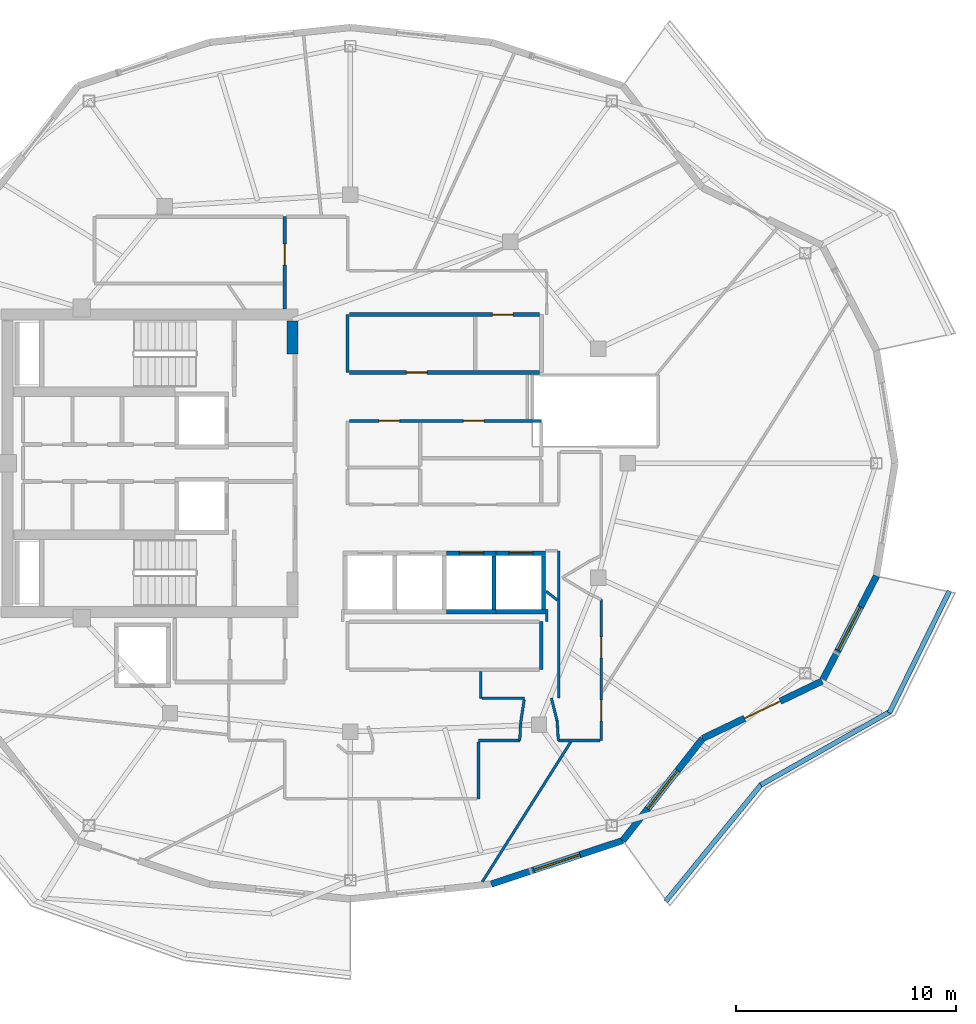
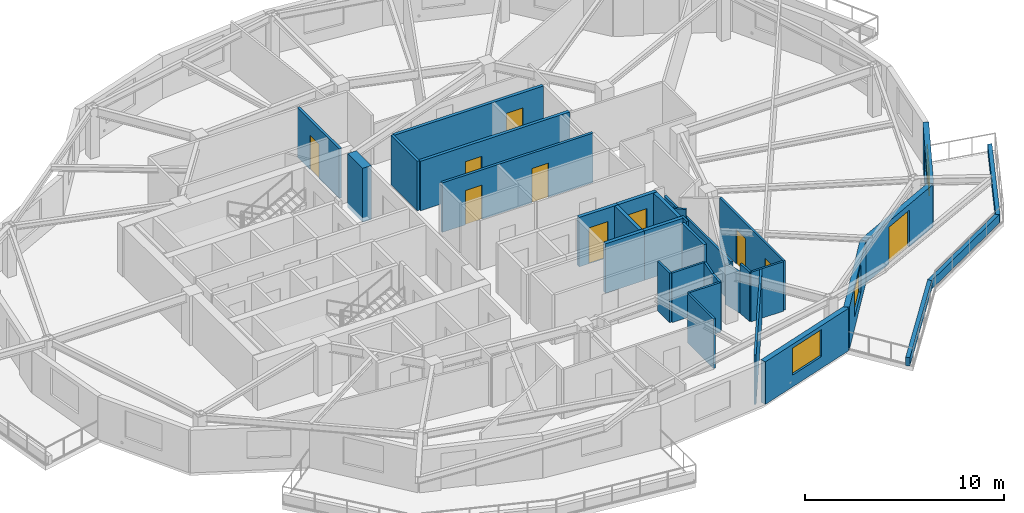
# One storey, part 5 of 10: 34 walls, 10 doors, 3 windows, 13 openings.
"""IFC4 building model written with IfcOpenShell, lengths in metres."""

from ifc_helpers import new_model, si_unit, direction, frame, frame_2d, origin, place, context, subcontext, project, spatial, rectangle, extrude, material, layer, layer_set, type_object, element, fill, save


model = new_model("IFC4")

# Units and contexts
model_context = context("Model", 3, precision=1e-05, world=origin(), true_north=direction((0.0, 1.0)))
body_context = subcontext(model_context, "Body", "Model", "MODEL_VIEW")
ifc_project = project(units=[si_unit("LENGTHUNIT", "METRE"), si_unit("AREAUNIT", "SQUARE_METRE"), si_unit("VOLUMEUNIT", "CUBIC_METRE"), si_unit("PLANEANGLEUNIT", "RADIAN"), si_unit("MASSUNIT", "GRAM", prefix="KILO")], contexts=[model_context])

# Site, building, storey
site_placement = place(None, origin())
site = spatial("IfcSite", under=ifc_project, at=site_placement, CompositionType="ELEMENT")
building_placement = place(site_placement, origin())
building = spatial("IfcBuilding", under=site, at=building_placement, Name="Kolvaren Gate Tower and Convention Centre", CompositionType="ELEMENT")
storey_placement = place(building_placement, frame((0.0, 0.0, 203.0)))
storey = spatial("IfcBuildingStorey", under=building, at=storey_placement, Name="L53", CompositionType="ELEMENT", Elevation=203.0)

# Wall, opening, door
ifc_material_1 = material(Name="Autoclaved Aerated Masonry Blockwork Class 4 (4.0 MPa)", Category="masonry")
ifc_layer_1 = layer(ifc_material_1, 0.179931640625)
ifc_layer_set_1 = layer_set([ifc_layer_1], Name="Autoclaved Aerated Masonry Blockwork Class 4 (4.0 MPa)")
wall_type_1 = type_object("IfcWallType", Name="ARCH-WL-COMP-180", PredefinedType="SOLIDWALL", material=ifc_layer_set_1)
wall_1_placement = place(storey_placement, frame((30.076904296875, 31.1201171875, 0.0), z_axis=(0.0, 0.0, 1.0), x_axis=(1.0, 0.0, 0.0)))
wall_1 = element("IfcWall", 1, at=wall_1_placement, inside=storey, type_object=wall_type_1, Name="Interior Partition WL-L53-INT-029", PredefinedType="SOLIDWALL", context=body_context, shape_type="SweptSolid", body=[
    extrude(rectangle(XDim=8.631103515625, YDim=0.179931640625, at=frame_2d((4.3154296875, 0.0))), origin(), (0.0, 0.0, 1.0), 3.030029296875),
])
opening_1_placement = place(wall_1_placement, frame((2.591552734375, 0.0, 0.0)))
opening_1 = element("IfcOpeningElement", 2, at=opening_1_placement, cuts=wall_1, Name="Opening DR-01", PredefinedType="OPENING", context=body_context, shape_type="SweptSolid", body=[
    extrude(rectangle(XDim=0.949951171875, YDim=2.10009765625, at=frame_2d((0.47509765625, 1.050048828125))), frame((0.0, 0.099853515625, 0.0), z_axis=(0.0, -1.0, 0.0), x_axis=(1.0, 0.0, 0.0)), (0.0, 0.0, 1.0), 0.199951171875),
])
ifc_material_2 = material(Name="Painted Architectural Steelwork ASTM A500 Grade C 345 MPa", Category="steel")
door_type_1 = type_object("IfcDoorType", Name="ARCH-DR-RISER-950", OperationType="SINGLE_SWING_RIGHT", PredefinedType="DOOR", material=ifc_material_2)
door_1_placement = place(opening_1_placement, origin())
door_1 = element("IfcDoor", 3, at=door_1_placement, inside=storey, type_object=door_type_1, Name="Steward Supply Store Door", OperationType="SINGLE_SWING_RIGHT", OverallHeight=2.10009765625, OverallWidth=0.949951171875, PredefinedType="DOOR", context=body_context, shape_type="SweptSolid", body=[
    extrude(rectangle(XDim=0.949951171875, YDim=2.10009765625, at=frame_2d((0.47509765625, 1.050048828125))), frame((0.0, 0.02490234375, 0.0), z_axis=(0.0, -1.0, 0.0), x_axis=(1.0, 0.0, 0.0)), (0.0, 0.0, 1.0), 0.050048828125),
])
fill(opening_1, door_1)

wall_2_placement = place(storey_placement, frame((30.076904296875, 33.75, 0.0), z_axis=(0.0, 0.0, 1.0), x_axis=(1.0, 0.0, 0.0)))
wall_2 = element("IfcWall", 4, at=wall_2_placement, inside=storey, type_object=wall_type_1, Name="Interior Partition WL-L53-INT-030", PredefinedType="SOLIDWALL", context=body_context, shape_type="SweptSolid", body=[
    extrude(rectangle(XDim=8.631103515625, YDim=0.179931640625, at=frame_2d((4.3154296875, 0.0))), origin(), (0.0, 0.0, 1.0), 3.030029296875),
])
opening_2_placement = place(wall_2_placement, frame((6.4970703125, 0.0, 0.0)))
opening_2 = element("IfcOpeningElement", 5, at=opening_2_placement, cuts=wall_2, Name="Opening DR-01", PredefinedType="OPENING", context=body_context, shape_type="SweptSolid", body=[
    extrude(rectangle(XDim=0.949951171875, YDim=2.10009765625, at=frame_2d((0.47509765625, 1.050048828125))), frame((0.0, 0.099853515625, 0.0), z_axis=(0.0, -1.0, 0.0), x_axis=(1.0, 0.0, 0.0)), (0.0, 0.0, 1.0), 0.199951171875),
])
door_2_placement = place(opening_2_placement, origin())
door_2 = element("IfcDoor", 6, at=door_2_placement, inside=storey, type_object=door_type_1, Name="Floor Telecom Switch Room Door", OperationType="SINGLE_SWING_LEFT", OverallHeight=2.10009765625, OverallWidth=0.949951171875, PredefinedType="DOOR", context=body_context, shape_type="SweptSolid", body=[
    extrude(rectangle(XDim=0.949951171875, YDim=2.10009765625, at=frame_2d((0.47509765625, 1.050048828125))), frame((0.0, 0.02490234375, 0.0), z_axis=(0.0, -1.0, 0.0), x_axis=(1.0, 0.0, 0.0)), (0.0, 0.0, 1.0), 0.050048828125),
])
fill(opening_2, door_2)

# Walls
ifc_material_3 = material(Name="Fire-Rated Acoustic Gypsum Stud Partition", Category="gypsum")
ifc_layer_2 = layer(ifc_material_3, 0.1201171875)
ifc_layer_set_2 = layer_set([ifc_layer_2], Name="Fire-Rated Acoustic Gypsum Stud Partition")
wall_type_2 = type_object("IfcWallType", Name="ARCH-WL-PART-120", PredefinedType="PARTITIONING", material=ifc_layer_set_2)
wall_3_placement = place(storey_placement, frame((39.050048828125, 19.800048828125, 0.0), z_axis=(0.0, 0.0, 1.0), x_axis=(0.0, 1.0, 0.0)))
element("IfcWall", 7, at=wall_3_placement, inside=storey, type_object=wall_type_2, Name="Interior Partition WL-L53-INT-038", PredefinedType="PARTITIONING", context=body_context, shape_type="SweptSolid", body=[
    extrude(rectangle(XDim=0.56005859375, YDim=0.1201171875, at=frame_2d((0.280029296875, 0.0))), origin(), (0.0, 0.0, 1.0), 3.030029296875),
])
wall_4_placement = place(storey_placement, frame((39.60009765625, 16.320068359375, 0.0), z_axis=(0.0, 0.0, 1.0), x_axis=(0.0, 1.0, 0.0)))
element("IfcWall", 8, at=wall_4_placement, inside=storey, type_object=wall_type_2, Name="Interior Partition WL-L53-INT-041", PredefinedType="PARTITIONING", context=body_context, shape_type="SweptSolid", body=[
    extrude(rectangle(XDim=6.699951171875, YDim=0.1201171875, at=frame_2d((3.35009765625, 0.0))), origin(), (0.0, 0.0, 1.0), 2.47802734375),
])

# Wall, openings, doors
wall_5_placement = place(storey_placement, frame((41.52001953125, 14.39990234375, 0.0), z_axis=(0.0, 0.0, 1.0), x_axis=(0.0, 1.0, 0.0)))
wall_5 = element("IfcWall", 9, at=wall_5_placement, inside=storey, type_object=wall_type_2, Name="Interior Partition WL-L53-INT-044", PredefinedType="PARTITIONING", context=body_context, shape_type="SweptSolid", body=[
    extrude(rectangle(XDim=6.406982421875, YDim=0.1201171875, at=frame_2d((3.20361328125, 0.0))), origin(), (0.0, 0.0, 1.0), 3.030029296875),
])
opening_3_placement = place(wall_5_placement, frame((0.89404296875, 0.0, 0.0)))
opening_3 = element("IfcOpeningElement", 10, at=opening_3_placement, cuts=wall_5, Name="Opening DR-01", PredefinedType="OPENING", context=body_context, shape_type="SweptSolid", body=[
    extrude(rectangle(XDim=0.949951171875, YDim=2.10009765625, at=frame_2d((0.47509765625, 1.050048828125))), frame((0.0, 0.070068359375, 0.0), z_axis=(0.0, -1.0, 0.0), x_axis=(1.0, 0.0, 0.0)), (0.0, 0.0, 1.0), 0.14013671875),
])
opening_4_placement = place(wall_5_placement, frame((3.758544921875, 0.0, 0.0)))
opening_4 = element("IfcOpeningElement", 11, at=opening_4_placement, cuts=wall_5, Name="Opening DR-01", PredefinedType="OPENING", context=body_context, shape_type="SweptSolid", body=[
    extrude(rectangle(XDim=0.949951171875, YDim=2.10009765625, at=frame_2d((0.47509765625, 1.050048828125))), frame((0.0, 0.070068359375, 0.0), z_axis=(0.0, -1.0, 0.0), x_axis=(1.0, 0.0, 0.0)), (0.0, 0.0, 1.0), 0.14013671875),
])
door_3_placement = place(opening_3_placement, origin())
door_3 = element("IfcDoor", 12, at=door_3_placement, inside=storey, type_object=door_type_1, Name="Resident Private Study and Home Office Door", OperationType="SINGLE_SWING_LEFT", OverallHeight=2.10009765625, OverallWidth=0.949951171875, PredefinedType="DOOR", context=body_context, shape_type="SweptSolid", body=[
    extrude(rectangle(XDim=0.949951171875, YDim=2.10009765625, at=frame_2d((0.47509765625, 1.050048828125))), frame((0.0, 0.02490234375, 0.0), z_axis=(0.0, -1.0, 0.0), x_axis=(1.0, 0.0, 0.0)), (0.0, 0.0, 1.0), 0.050048828125),
])
fill(opening_3, door_3)
door_4_placement = place(opening_4_placement, origin())
door_4 = element("IfcDoor", 13, at=door_4_placement, inside=storey, type_object=door_type_1, Name="Resident Private Study Door", OperationType="SINGLE_SWING_RIGHT", OverallHeight=2.10009765625, OverallWidth=0.949951171875, PredefinedType="DOOR", context=body_context, shape_type="SweptSolid", body=[
    extrude(rectangle(XDim=0.949951171875, YDim=2.10009765625, at=frame_2d((0.47509765625, 1.050048828125))), frame((0.0, 0.02490234375, 0.0), z_axis=(0.0, -1.0, 0.0), x_axis=(1.0, 0.0, 0.0)), (0.0, 0.0, 1.0), 0.050048828125),
])
fill(opening_4, door_4)

# Walls
wall_6_placement = place(storey_placement, frame((35.949951171875, 14.39990234375, 0.0), z_axis=(0.0, 0.0, 1.0), x_axis=(1.0, 0.0, 0.0)))
element("IfcWall", 14, at=wall_6_placement, inside=storey, type_object=wall_type_2, Name="Interior Partition WL-L53-INT-051", PredefinedType="PARTITIONING", context=body_context, shape_type="SweptSolid", body=[
    extrude(rectangle(XDim=1.873046875, YDim=0.1201171875, at=frame_2d((0.9365234375, 0.0))), origin(), (0.0, 0.0, 1.0), 3.030029296875),
])
wall_7_placement = place(storey_placement, frame((39.573974609375, 14.39990234375, 0.0), z_axis=(0.0, 0.0, 1.0), x_axis=(1.0, 0.0, 0.0)))
element("IfcWall", 15, at=wall_7_placement, inside=storey, type_object=wall_type_2, Name="Interior Partition WL-L53-INT-052", PredefinedType="PARTITIONING", context=body_context, shape_type="SweptSolid", body=[
    extrude(rectangle(XDim=1.884033203125, YDim=0.1201171875, at=frame_2d((0.94189453125, 0.0))), origin(), (0.0, 0.0, 1.0), 3.030029296875),
])
wall_8_placement = place(storey_placement, frame((39.52197265625, 15.283935546875, 0.0), z_axis=(0.0, 0.0, 1.0), x_axis=(0.058722021951, -0.998274373175, 0.0)))
element("IfcWall", 16, at=wall_8_placement, inside=storey, type_object=wall_type_2, Name="Interior Partition WL-L53-INT-053", PredefinedType="PARTITIONING", context=body_context, shape_type="SweptSolid", body=[
    extrude(rectangle(XDim=0.885498046875, YDim=0.1201171875, at=frame_2d((0.44287109375, 0.0))), origin(), (0.0, 0.0, 1.0), 3.030029296875),
])
wall_9_placement = place(storey_placement, frame((39.262939453125, 16.320068359375, 0.0), z_axis=(0.0, 0.0, 1.0), x_axis=(0.242535625036, -0.970142500145, 0.0)))
element("IfcWall", 17, at=wall_9_placement, inside=storey, type_object=wall_type_2, Name="Interior Partition WL-L53-INT-054", PredefinedType="PARTITIONING", context=body_context, shape_type="SweptSolid", body=[
    extrude(rectangle(XDim=1.068115234375, YDim=0.1201171875, at=frame_2d((0.5341796875, 0.0))), origin(), (0.0, 0.0, 1.0), 2.47802734375),
])
wall_10_placement = place(storey_placement, frame((36.050048828125, 16.320068359375, 0.0), z_axis=(0.0, 0.0, 1.0), x_axis=(0.0, 1.0, 0.0)))
element("IfcWall", 18, at=wall_10_placement, inside=storey, type_object=wall_type_2, Name="Interior Partition WL-L53-INT-057", PredefinedType="PARTITIONING", context=body_context, shape_type="SweptSolid", body=[
    extrude(rectangle(XDim=1.222900390625, YDim=0.1201171875, at=frame_2d((0.611328125, 0.0))), origin(), (0.0, 0.0, 1.0), 3.030029296875),
])
wall_11_placement = place(storey_placement, frame((36.112060546875, 16.320068359375, 0.0), z_axis=(0.0, 0.0, 1.0), x_axis=(1.0, 0.0, 0.0)))
element("IfcWall", 19, at=wall_11_placement, inside=storey, type_object=wall_type_2, Name="Interior Partition WL-L53-INT-058", PredefinedType="PARTITIONING", context=body_context, shape_type="SweptSolid", body=[
    extrude(rectangle(XDim=1.9208984375, YDim=0.1201171875, at=frame_2d((0.96044921875, 0.0))), origin(), (0.0, 0.0, 1.0), 3.030029296875),
])
wall_12_placement = place(storey_placement, frame((37.862060546875, 15.200927734375, 0.0), z_axis=(0.0, 0.0, 1.0), x_axis=(0.150907653202, 0.988547864398, 0.0)))
element("IfcWall", 20, at=wall_12_placement, inside=storey, type_object=wall_type_2, Name="Interior Partition WL-L53-INT-059", PredefinedType="PARTITIONING", context=body_context, shape_type="SweptSolid", body=[
    extrude(rectangle(XDim=1.0693359375, YDim=0.1201171875, at=frame_2d((0.53466796875, 0.0))), origin(), (0.0, 0.0, 1.0), 3.030029296875),
])
wall_13_placement = place(storey_placement, frame((37.822998046875, 14.39990234375, 0.0), z_axis=(0.0, 0.0, 1.0), x_axis=(0.04870773904, 0.998813073682, 0.0)))
element("IfcWall", 21, at=wall_13_placement, inside=storey, type_object=wall_type_2, Name="Interior Partition WL-L53-INT-060", PredefinedType="PARTITIONING", context=body_context, shape_type="SweptSolid", body=[
    extrude(rectangle(XDim=0.802001953125, YDim=0.1201171875, at=frame_2d((0.40087890625, 0.0))), origin(), (0.0, 0.0, 1.0), 3.030029296875),
])
wall_14_placement = place(storey_placement, frame((35.949951171875, 11.75, 0.0), z_axis=(0.0, 0.0, 1.0), x_axis=(0.0, 1.0, 0.0)))
element("IfcWall", 22, at=wall_14_placement, inside=storey, type_object=wall_type_2, Name="Interior Partition WL-L53-INT-061", PredefinedType="PARTITIONING", context=body_context, shape_type="SweptSolid", body=[
    extrude(rectangle(XDim=2.587890625, YDim=0.1201171875, at=frame_2d((1.2939453125, 0.0))), origin(), (0.0, 0.0, 1.0), 3.030029296875),
])
wall_15_placement = place(storey_placement, frame((39.02001953125, 21.177978515625, 0.0), z_axis=(0.0, 0.0, 1.0), x_axis=(0.788170760396, -0.615456621101, 0.0)))
element("IfcWall", 23, at=wall_15_placement, inside=storey, type_object=wall_type_2, Name="Interior Partition WL-L53-INT-072", PredefinedType="PARTITIONING", context=body_context, shape_type="SweptSolid", body=[
    extrude(rectangle(XDim=0.6572265625, YDim=0.1201171875, at=frame_2d((0.32861328125, 0.0))), origin(), (0.0, 0.0, 1.0), 3.030029296875),
])
wall_16_placement = place(storey_placement, frame((36.1240234375, 7.984619140625, 0.0), z_axis=(0.0, 0.0, 1.0), x_axis=(0.534397421847, 0.845233337915, 0.0)))
element("IfcWall", 24, at=wall_16_placement, inside=storey, type_object=wall_type_2, Name="Interior Partition WL-L53-INT-073", PredefinedType="PARTITIONING", context=body_context, shape_type="SweptSolid", body=[
    extrude(rectangle(XDim=7.5166015625, YDim=0.1201171875, at=frame_2d((3.75830078125, 0.0))), origin(), (0.0, 0.0, 1.0), 3.030029296875),
])
ifc_material_4 = material(Name="Piedmont Cream Honed Limestone Cladding", Category="masonry")
ifc_layer_3 = layer(ifc_material_4, 0.219970703125)
ifc_layer_set_3 = layer_set([ifc_layer_3], Name="Piedmont Cream Honed Limestone Cladding")
wall_type_3 = type_object("IfcWallType", Name="ARCH-WL-PLANTER-220", PredefinedType="PARAPET", material=ifc_layer_set_3)
wall_17_placement = place(storey_placement, frame((44.4482421875, 7.087158203125, 0.0), z_axis=(0.0, 0.0, 1.0), x_axis=(0.632697312147, 0.774399193699, 0.0)))
element("IfcWall", 25, at=wall_17_placement, inside=storey, type_object=wall_type_3, Name="Vertical-Forest Balcony Stone Planter Kerb PK-L53-4.1", PredefinedType="PARAPET", context=body_context, shape_type="SweptSolid", body=[
    extrude(rectangle(XDim=6.9140625, YDim=0.219970703125, at=frame_2d((3.45703125, 0.0))), origin(), (0.0, 0.0, 1.0), 0.52001953125),
])
wall_18_placement = place(storey_placement, frame((48.7763671875, 12.38330078125, 0.0), z_axis=(0.0, 0.0, 1.0), x_axis=(0.869860619267, 0.493297580623, 0.0)))
element("IfcWall", 26, at=wall_18_placement, inside=storey, type_object=wall_type_3, Name="Vertical-Forest Balcony Stone Planter Kerb PK-L53-4.2", PredefinedType="PARAPET", context=body_context, shape_type="SweptSolid", body=[
    extrude(rectangle(XDim=6.74267578125, YDim=0.219970703125, at=frame_2d((3.371337890625, 0.0))), origin(), (0.0, 0.0, 1.0), 0.52001953125),
])
wall_19_placement = place(storey_placement, frame((54.615966796875, 15.6533203125, 0.0), z_axis=(0.0, 0.0, 1.0), x_axis=(0.441640961804, 0.897191875162, 0.0)))
element("IfcWall", 27, at=wall_19_placement, inside=storey, type_object=wall_type_3, Name="Vertical-Forest Balcony Stone Planter Kerb PK-L53-4.3", PredefinedType="PARAPET", context=body_context, shape_type="SweptSolid", body=[
    extrude(rectangle(XDim=6.17822265625, YDim=0.219970703125, at=frame_2d((3.089111328125, 0.0))), origin(), (0.0, 0.0, 1.0), 0.52001953125),
])

# Wall, opening, door
ifc_layer_4 = layer(ifc_material_1, 0.199951171875)
ifc_layer_set_4 = layer_set([ifc_layer_4], Name="Autoclaved Aerated Masonry Blockwork Class 4 (4.0 MPa)")
wall_type_4 = type_object("IfcWallType", Name="ARCH-WL-SHAFT-200", PredefinedType="SOLIDWALL", material=ifc_layer_set_4)
wall_20_placement = place(storey_placement, frame((34.5, 22.89990234375, 0.0), z_axis=(0.0, 0.0, 1.0), x_axis=(1.0, 0.0, 0.0)))
wall_20 = element("IfcWall", 28, at=wall_20_placement, inside=storey, type_object=wall_type_4, Name="Elevator PL-11 L53 Fire Shaft Wall N", PredefinedType="SOLIDWALL", context=body_context, shape_type="SweptSolid", body=[
    extrude(rectangle(XDim=2.25, YDim=0.199951171875, at=frame_2d((1.125, 0.0))), origin(), (0.0, 0.0, 1.0), 3.030029296875),
])
opening_5_placement = place(wall_20_placement, frame((0.574951171875, 0.0, 0.0)))
opening_5 = element("IfcOpeningElement", 29, at=opening_5_placement, cuts=wall_20, Name="Opening LD", PredefinedType="OPENING", context=body_context, shape_type="SweptSolid", body=[
    extrude(rectangle(XDim=1.10009765625, YDim=2.199951171875, at=frame_2d((0.550048828125, 1.10009765625))), frame((0.0, 0.10986328125, 0.0), z_axis=(0.0, -1.0, 0.0), x_axis=(1.0, 0.0, 0.0)), (0.0, 0.0, 1.0), 0.219970703125),
])
ifc_material_5 = material(Name="Brushed Stainless Steel Grade 316L", Category="steel")
door_type_2 = type_object("IfcDoorType", Name="ARCH-DR-LIFT-1100", OperationType="SLIDING_TO_LEFT", PredefinedType="DOOR", material=ifc_material_5)
door_5_placement = place(opening_5_placement, origin())
door_5 = element("IfcDoor", 30, at=door_5_placement, inside=storey, type_object=door_type_2, Name="Elevator PL-11 L53 Sliding Landing Door", OperationType="SLIDING_TO_LEFT", OverallHeight=2.199951171875, OverallWidth=1.10009765625, PredefinedType="DOOR", context=body_context, shape_type="SweptSolid", body=[
    extrude(rectangle(XDim=1.10009765625, YDim=2.199951171875, at=frame_2d((0.550048828125, 1.10009765625))), frame((0.0, 0.02490234375, 0.0), z_axis=(0.0, -1.0, 0.0), x_axis=(1.0, 0.0, 0.0)), (0.0, 0.0, 1.0), 0.050048828125),
])
fill(opening_5, door_5)

# Walls
wall_21_placement = place(storey_placement, frame((34.5, 20.25, 0.0), z_axis=(0.0, 0.0, 1.0), x_axis=(1.0, 0.0, 0.0)))
element("IfcWall", 31, at=wall_21_placement, inside=storey, type_object=wall_type_4, Name="Elevator PL-11 L53 Fire Shaft Wall S", PredefinedType="SOLIDWALL", context=body_context, shape_type="SweptSolid", body=[
    extrude(rectangle(XDim=2.25, YDim=0.199951171875, at=frame_2d((1.125, 0.0))), origin(), (0.0, 0.0, 1.0), 3.030029296875),
])
wall_22_placement = place(storey_placement, frame((36.64990234375, 20.360107421875, 0.0), z_axis=(0.0, 0.0, 1.0), x_axis=(0.0, 1.0, 0.0)))
element("IfcWall", 32, at=wall_22_placement, inside=storey, type_object=wall_type_4, Name="Elevator PL-11 L53 Fire Shaft Wall E", PredefinedType="SOLIDWALL", context=body_context, shape_type="SweptSolid", body=[
    extrude(rectangle(XDim=2.429931640625, YDim=0.199951171875, at=frame_2d((1.21484375, 0.0))), origin(), (0.0, 0.0, 1.0), 3.030029296875),
])

# Wall, opening, door
wall_23_placement = place(storey_placement, frame((36.75, 22.89990234375, 0.0), z_axis=(0.0, 0.0, 1.0), x_axis=(1.0, 0.0, 0.0)))
wall_23 = element("IfcWall", 33, at=wall_23_placement, inside=storey, type_object=wall_type_4, Name="Elevator PL-12 L53 Fire Shaft Wall N", PredefinedType="SOLIDWALL", context=body_context, shape_type="SweptSolid", body=[
    extrude(rectangle(XDim=2.25, YDim=0.199951171875, at=frame_2d((1.125, 0.0))), origin(), (0.0, 0.0, 1.0), 3.030029296875),
])
opening_6_placement = place(wall_23_placement, frame((0.574951171875, 0.0, 0.0)))
opening_6 = element("IfcOpeningElement", 34, at=opening_6_placement, cuts=wall_23, Name="Opening LD", PredefinedType="OPENING", context=body_context, shape_type="SweptSolid", body=[
    extrude(rectangle(XDim=1.10009765625, YDim=2.199951171875, at=frame_2d((0.550048828125, 1.10009765625))), frame((0.0, 0.10986328125, 0.0), z_axis=(0.0, -1.0, 0.0), x_axis=(1.0, 0.0, 0.0)), (0.0, 0.0, 1.0), 0.219970703125),
])
door_6_placement = place(opening_6_placement, origin())
door_6 = element("IfcDoor", 35, at=door_6_placement, inside=storey, type_object=door_type_2, Name="Elevator PL-12 L53 Sliding Landing Door", OperationType="SLIDING_TO_LEFT", OverallHeight=2.199951171875, OverallWidth=1.10009765625, PredefinedType="DOOR", context=body_context, shape_type="SweptSolid", body=[
    extrude(rectangle(XDim=1.10009765625, YDim=2.199951171875, at=frame_2d((0.550048828125, 1.10009765625))), frame((0.0, 0.02490234375, 0.0), z_axis=(0.0, -1.0, 0.0), x_axis=(1.0, 0.0, 0.0)), (0.0, 0.0, 1.0), 0.050048828125),
])
fill(opening_6, door_6)

# Walls
wall_24_placement = place(storey_placement, frame((36.75, 20.25, 0.0), z_axis=(0.0, 0.0, 1.0), x_axis=(1.0, 0.0, 0.0)))
element("IfcWall", 36, at=wall_24_placement, inside=storey, type_object=wall_type_4, Name="Elevator PL-12 L53 Fire Shaft Wall S", PredefinedType="SOLIDWALL", context=body_context, shape_type="SweptSolid", body=[
    extrude(rectangle(XDim=2.25, YDim=0.199951171875, at=frame_2d((1.125, 0.0))), origin(), (0.0, 0.0, 1.0), 3.030029296875),
])
wall_25_placement = place(storey_placement, frame((38.89990234375, 20.360107421875, 0.0), z_axis=(0.0, 0.0, 1.0), x_axis=(0.0, 1.0, 0.0)))
element("IfcWall", 37, at=wall_25_placement, inside=storey, type_object=wall_type_4, Name="Elevator PL-12 L53 Fire Shaft Wall E", PredefinedType="SOLIDWALL", context=body_context, shape_type="SweptSolid", body=[
    extrude(rectangle(XDim=2.429931640625, YDim=0.199951171875, at=frame_2d((1.21484375, 0.0))), origin(), (0.0, 0.0, 1.0), 3.030029296875),
])

# Wall, opening, window
ifc_layer_5 = layer(ifc_material_4, 0.300048828125)
ifc_layer_set_5 = layer_set([ifc_layer_5], Name="Piedmont Cream Honed Limestone Cladding")
wall_type_5 = type_object("IfcWallType", Name="ARCH-WL-STONE-300", PredefinedType="SOLIDWALL", material=ifc_layer_set_5)
wall_26_placement = place(storey_placement, frame((36.53076171875, 7.874755859375, 0.0), z_axis=(0.0, 0.0, 1.0), x_axis=(0.949240877604, 0.314550085495, 0.0)))
wall_26 = element("IfcWall", 38, at=wall_26_placement, inside=storey, type_object=wall_type_5, Name="Tower L53 Honed Stone Spandrel Wall EW-19", PredefinedType="SOLIDWALL", context=body_context, shape_type="SweptSolid", body=[
    extrude(rectangle(XDim=6.288330078125, YDim=0.300048828125, at=frame_2d((3.14404296875, 0.0))), origin(), (0.0, 0.0, 1.0), 2.60498046875),
])
opening_7_placement = place(wall_26_placement, frame((2.0439453125, 0.0, 0.719970703125)))
opening_7 = element("IfcOpeningElement", 39, at=opening_7_placement, cuts=wall_26, Name="Opening W-03", PredefinedType="OPENING", context=body_context, shape_type="SweptSolid", body=[
    extrude(rectangle(XDim=2.199951171875, YDim=1.64990234375, at=frame_2d((1.10009765625, 0.824951171875))), frame((0.0, 0.159912109375, 0.0), z_axis=(0.0, -1.0, 0.0), x_axis=(1.0, 0.0, 0.0)), (0.0, 0.0, 1.0), 0.320068359375),
])
ifc_material_6 = material(Name="Low-E Triple Insulated Glazing Unit 44 mm", Category="glass")
window_type = type_object("IfcWindowType", Name="ARCH-WN-RES-2200", PartitioningType="SINGLE_PANEL", PredefinedType="WINDOW", material=ifc_material_6)
window_1_placement = place(opening_7_placement, origin())
window_1 = element("IfcWindow", 40, at=window_1_placement, inside=storey, type_object=window_type, Name="Tower L53 Punched Stone Facade Window W-19", OverallHeight=1.64990234375, OverallWidth=2.199951171875, PartitioningType="SINGLE_PANEL", PredefinedType="WINDOW", context=body_context, shape_type="SweptSolid", body=[
    extrude(rectangle(XDim=2.199951171875, YDim=1.64990234375, at=frame_2d((1.10009765625, 0.824951171875))), frame((0.0, 0.030029296875, 0.0), z_axis=(0.0, -1.0, 0.0), x_axis=(1.0, 0.0, 0.0)), (0.0, 0.0, 1.0), 0.06005859375),
])
fill(opening_7, window_1)

wall_27_placement = place(storey_placement, frame((42.5, 9.852783203125, 0.0), z_axis=(0.0, 0.0, 1.0), x_axis=(0.616450126935, 0.787393955401, 0.0)))
wall_27 = element("IfcWall", 41, at=wall_27_placement, inside=storey, type_object=wall_type_5, Name="Tower L53 Honed Stone Spandrel Wall EW-20", PredefinedType="SOLIDWALL", context=body_context, shape_type="SweptSolid", body=[
    extrude(rectangle(XDim=5.892822265625, YDim=0.300048828125, at=frame_2d((2.9462890625, 0.0))), origin(), (0.0, 0.0, 1.0), 2.60498046875),
])
opening_8_placement = place(wall_27_placement, frame((1.845947265625, 0.0, 0.719970703125)))
opening_8 = element("IfcOpeningElement", 42, at=opening_8_placement, cuts=wall_27, Name="Opening W-03", PredefinedType="OPENING", context=body_context, shape_type="SweptSolid", body=[
    extrude(rectangle(XDim=2.199951171875, YDim=1.64990234375, at=frame_2d((1.10009765625, 0.824951171875))), frame((0.0, 0.159912109375, 0.0), z_axis=(0.0, -1.0, 0.0), x_axis=(1.0, 0.0, 0.0)), (0.0, 0.0, 1.0), 0.320068359375),
])
window_2_placement = place(opening_8_placement, origin())
window_2 = element("IfcWindow", 43, at=window_2_placement, inside=storey, type_object=window_type, Name="Tower L53 Punched Stone Facade Window W-20", OverallHeight=1.64990234375, OverallWidth=2.199951171875, PartitioningType="SINGLE_PANEL", PredefinedType="WINDOW", context=body_context, shape_type="SweptSolid", body=[
    extrude(rectangle(XDim=2.199951171875, YDim=1.64990234375, at=frame_2d((1.10009765625, 0.824951171875))), frame((0.0, 0.030029296875, 0.0), z_axis=(0.0, -1.0, 0.0), x_axis=(1.0, 0.0, 0.0)), (0.0, 0.0, 1.0), 0.06005859375),
])
fill(opening_8, window_2)

# Wall, opening, door
wall_28_placement = place(storey_placement, frame((46.132568359375, 14.49267578125, 0.0), z_axis=(0.0, 0.0, 1.0), x_axis=(0.901348331142, 0.433094892545, 0.0)))
wall_28 = element("IfcWall", 44, at=wall_28_placement, inside=storey, type_object=wall_type_5, Name="Tower L53 Honed Stone Spandrel Wall EW-21", PredefinedType="SOLIDWALL", context=body_context, shape_type="SweptSolid", body=[
    extrude(rectangle(XDim=6.0205078125, YDim=0.300048828125, at=frame_2d((3.01025390625, 0.0))), origin(), (0.0, 0.0, 1.0), 2.60498046875),
])
opening_9_placement = place(wall_28_placement, frame((2.110107421875, 0.0, 0.0)))
opening_9 = element("IfcOpeningElement", 45, at=opening_9_placement, cuts=wall_28, Name="Opening DB-01", PredefinedType="OPENING", context=body_context, shape_type="SweptSolid", body=[
    extrude(rectangle(XDim=1.800048828125, YDim=2.25, at=frame_2d((0.89990234375, 1.125))), frame((0.0, 0.159912109375, 0.0), z_axis=(0.0, -1.0, 0.0), x_axis=(1.0, 0.0, 0.0)), (0.0, 0.0, 1.0), 0.320068359375),
])
ifc_material_7 = material(Name="Anodized Architectural Aluminium Alloy 6063-T6", Category="aluminium")
door_type_3 = type_object("IfcDoorType", Name="ARCH-DR-BALC-1800", OperationType="SLIDING_TO_LEFT", PredefinedType="DOOR", material=ifc_material_7)
door_7_placement = place(opening_9_placement, frame((1.800048828125, 0.0, 0.0), z_axis=(0.0, 0.0, 1.0), x_axis=(-1.0, 0.0, 0.0)))
door_7 = element("IfcDoor", 46, at=door_7_placement, inside=storey, type_object=door_type_3, Name="Planted Sky Terrace Access Door DB-L53-21", OperationType="SLIDING_TO_LEFT", OverallHeight=2.25, OverallWidth=1.800048828125, PredefinedType="DOOR", context=body_context, shape_type="SweptSolid", body=[
    extrude(rectangle(XDim=1.800048828125, YDim=2.25, at=frame_2d((0.89990234375, 1.125))), frame((0.0, 0.02490234375, 0.0), z_axis=(0.0, -1.0, 0.0), x_axis=(1.0, 0.0, 0.0)), (0.0, 0.0, 1.0), 0.050048828125),
])
fill(opening_9, door_7)

# Wall, opening, window
wall_29_placement = place(storey_placement, frame((51.55908203125, 17.10009765625, 0.0), z_axis=(0.0, 0.0, 1.0), x_axis=(0.459808219482, 0.888018243786, 0.0)))
wall_29 = element("IfcWall", 47, at=wall_29_placement, inside=storey, type_object=wall_type_5, Name="Tower L53 Honed Stone Spandrel Wall EW-22", PredefinedType="SOLIDWALL", context=body_context, shape_type="SweptSolid", body=[
    extrude(rectangle(XDim=5.377685546875, YDim=0.300048828125, at=frame_2d((2.68896484375, 0.0))), origin(), (0.0, 0.0, 1.0), 2.60498046875),
])
opening_10_placement = place(wall_29_placement, frame((1.589111328125, 0.0, 0.719970703125)))
opening_10 = element("IfcOpeningElement", 48, at=opening_10_placement, cuts=wall_29, Name="Opening W-03", PredefinedType="OPENING", context=body_context, shape_type="SweptSolid", body=[
    extrude(rectangle(XDim=2.199951171875, YDim=1.64990234375, at=frame_2d((1.10009765625, 0.824951171875))), frame((0.0, 0.159912109375, 0.0), z_axis=(0.0, -1.0, 0.0), x_axis=(1.0, 0.0, 0.0)), (0.0, 0.0, 1.0), 0.320068359375),
])
window_3_placement = place(opening_10_placement, origin())
window_3 = element("IfcWindow", 49, at=window_3_placement, inside=storey, type_object=window_type, Name="Tower L53 Punched Stone Facade Window W-22", OverallHeight=1.64990234375, OverallWidth=2.199951171875, PartitioningType="SINGLE_PANEL", PredefinedType="WINDOW", context=body_context, shape_type="SweptSolid", body=[
    extrude(rectangle(XDim=2.199951171875, YDim=1.64990234375, at=frame_2d((1.10009765625, 0.824951171875))), frame((0.0, 0.030029296875, 0.0), z_axis=(0.0, -1.0, 0.0), x_axis=(1.0, 0.0, 0.0)), (0.0, 0.0, 1.0), 0.06005859375),
])
fill(opening_10, window_3)

# Wall, opening, door
ifc_material_8 = material(Name="Moisture-Resistant Cement-Board Acoustic Partition", Category="gypsum")
ifc_layer_6 = layer(ifc_material_8, 0.14990234375)
ifc_layer_set_6 = layer_set([ifc_layer_6], Name="Moisture-Resistant Cement-Board Acoustic Partition")
wall_type_6 = type_object("IfcWallType", Name="ARCH-WL-WET-150", PredefinedType="PARTITIONING", material=ifc_layer_set_6)
wall_30_placement = place(storey_placement, frame((27.14990234375, 34.001953125, 0.0), z_axis=(0.0, 0.0, 1.0), x_axis=(0.0, 1.0, 0.0)))
wall_30 = element("IfcWall", 50, at=wall_30_placement, inside=storey, type_object=wall_type_6, Name="Interior Partition WL-L53-INT-016", PredefinedType="PARTITIONING", context=body_context, shape_type="SweptSolid", body=[
    extrude(rectangle(XDim=4.197998046875, YDim=0.14990234375, at=frame_2d((2.09912109375, 0.0))), origin(), (0.0, 0.0, 1.0), 3.030029296875),
])
opening_11_placement = place(wall_30_placement, frame((1.998046875, 0.0, 0.0)))
opening_11 = element("IfcOpeningElement", 51, at=opening_11_placement, cuts=wall_30, Name="Opening DR-01", PredefinedType="OPENING", context=body_context, shape_type="SweptSolid", body=[
    extrude(rectangle(XDim=0.949951171875, YDim=2.10009765625, at=frame_2d((0.47509765625, 1.050048828125))), frame((0.0, 0.0849609375, 0.0), z_axis=(0.0, -1.0, 0.0), x_axis=(1.0, 0.0, 0.0)), (0.0, 0.0, 1.0), 0.169921875),
])
door_8_placement = place(opening_11_placement, origin())
door_8 = element("IfcDoor", 52, at=door_8_placement, inside=storey, type_object=door_type_1, Name="Reclaimed North Resident Store Door", OperationType="SINGLE_SWING_LEFT", OverallHeight=2.10009765625, OverallWidth=0.949951171875, PredefinedType="DOOR", context=body_context, shape_type="SweptSolid", body=[
    extrude(rectangle(XDim=0.949951171875, YDim=2.10009765625, at=frame_2d((0.47509765625, 1.050048828125))), frame((0.0, 0.02490234375, 0.0), z_axis=(0.0, -1.0, 0.0), x_axis=(1.0, 0.0, 0.0)), (0.0, 0.0, 1.0), 0.050048828125),
])
fill(opening_11, door_8)

# Wall
wall_31_placement = place(storey_placement, frame((30.0, 31.1201171875, 0.0), z_axis=(0.0, 0.0, 1.0), x_axis=(0.0, 1.0, 0.0)))
element("IfcWall", 53, at=wall_31_placement, inside=storey, type_object=wall_type_6, Name="Interior Partition WL-L53-INT-020", PredefinedType="PARTITIONING", context=body_context, shape_type="SweptSolid", body=[
    extrude(rectangle(XDim=2.6298828125, YDim=0.14990234375, at=frame_2d((1.31494140625, 0.0))), origin(), (0.0, 0.0, 1.0), 3.030029296875),
])

# Wall, openings, doors
wall_32_placement = place(storey_placement, frame((30.076904296875, 28.919921875, 0.0), z_axis=(0.0, 0.0, 1.0), x_axis=(1.0, 0.0, 0.0)))
wall_32 = element("IfcWall", 54, at=wall_32_placement, inside=storey, type_object=wall_type_6, Name="Interior Partition WL-L53-INT-022", PredefinedType="PARTITIONING", context=body_context, shape_type="SweptSolid", body=[
    extrude(rectangle(XDim=8.72314453125, YDim=0.14990234375, at=frame_2d((4.361572265625, 0.0))), origin(), (0.0, 0.0, 1.0), 3.030029296875),
])
opening_12_placement = place(wall_32_placement, frame((1.341552734375, 0.0, 0.0)))
opening_12 = element("IfcOpeningElement", 55, at=opening_12_placement, cuts=wall_32, Name="Opening DR-01", PredefinedType="OPENING", context=body_context, shape_type="SweptSolid", body=[
    extrude(rectangle(XDim=0.949951171875, YDim=2.10009765625, at=frame_2d((0.47509765625, 1.050048828125))), frame((0.0, 0.0849609375, 0.0), z_axis=(0.0, -1.0, 0.0), x_axis=(1.0, 0.0, 0.0)), (0.0, 0.0, 1.0), 0.169921875),
])
opening_13_placement = place(wall_32_placement, frame((5.177978515625, 0.0, 0.0)))
opening_13 = element("IfcOpeningElement", 56, at=opening_13_placement, cuts=wall_32, Name="Opening DR-01", PredefinedType="OPENING", context=body_context, shape_type="SweptSolid", body=[
    extrude(rectangle(XDim=0.949951171875, YDim=2.10009765625, at=frame_2d((0.47509765625, 1.050048828125))), frame((0.0, 0.0849609375, 0.0), z_axis=(0.0, -1.0, 0.0), x_axis=(1.0, 0.0, 0.0)), (0.0, 0.0, 1.0), 0.169921875),
])
door_9_placement = place(opening_12_placement, origin())
door_9 = element("IfcDoor", 57, at=door_9_placement, inside=storey, type_object=door_type_1, Name="Accessible North Washroom Door", OperationType="SINGLE_SWING_RIGHT", OverallHeight=2.10009765625, OverallWidth=0.949951171875, PredefinedType="DOOR", context=body_context, shape_type="SweptSolid", body=[
    extrude(rectangle(XDim=0.949951171875, YDim=2.10009765625, at=frame_2d((0.47509765625, 1.050048828125))), frame((0.0, 0.02490234375, 0.0), z_axis=(0.0, -1.0, 0.0), x_axis=(1.0, 0.0, 0.0)), (0.0, 0.0, 1.0), 0.050048828125),
])
fill(opening_12, door_9)
door_10_placement = place(opening_13_placement, origin())
door_10 = element("IfcDoor", 58, at=door_10_placement, inside=storey, type_object=door_type_1, Name="Floor Janitor and Supply Store Door", OperationType="SINGLE_SWING_RIGHT", OverallHeight=2.10009765625, OverallWidth=0.949951171875, PredefinedType="DOOR", context=body_context, shape_type="SweptSolid", body=[
    extrude(rectangle(XDim=0.949951171875, YDim=2.10009765625, at=frame_2d((0.47509765625, 1.050048828125))), frame((0.0, 0.02490234375, 0.0), z_axis=(0.0, -1.0, 0.0), x_axis=(1.0, 0.0, 0.0)), (0.0, 0.0, 1.0), 0.050048828125),
])
fill(opening_13, door_10)

# Walls
wall_33_placement = place(storey_placement, frame((38.800048828125, 17.6201171875, 0.0), z_axis=(0.0, 0.0, 1.0), x_axis=(0.0, 1.0, 0.0)))
element("IfcWall", 59, at=wall_33_placement, inside=storey, type_object=wall_type_6, Name="Interior Partition WL-L53-INT-026", PredefinedType="PARTITIONING", context=body_context, shape_type="SweptSolid", body=[
    extrude(rectangle(XDim=2.179931640625, YDim=0.14990234375, at=frame_2d((1.08984375, 0.0))), origin(), (0.0, 0.0, 1.0), 3.030029296875),
])
ifc_material_9 = material(Name="Concrete C50/60", Category="concrete")
ifc_layer_7 = layer(ifc_material_9, 0.5)
ifc_layer_set_7 = layer_set([ifc_layer_7], Name="Concrete C50/60")
wall_type_7 = type_object("IfcWallType", Name="STR-WL-CORE-500", PredefinedType="SHEAR", material=ifc_layer_set_7)
wall_34_placement = place(storey_placement, frame((27.5, 31.949951171875, -0.27001953125), z_axis=(0.0, 0.0, 1.0), x_axis=(0.0, 1.0, 0.0)))
element("IfcWall", 60, at=wall_34_placement, inside=storey, type_object=wall_type_7, Name="Tower L53 Offset Core Shear Wall EN", PredefinedType="SHEAR", context=body_context, shape_type="SweptSolid", body=[
    extrude(rectangle(XDim=1.5, YDim=0.5, at=frame_2d((0.75, 0.0))), origin(), (0.0, 0.0, 1.0), 3.300048828125),
])

save(model, "model.ifc")
